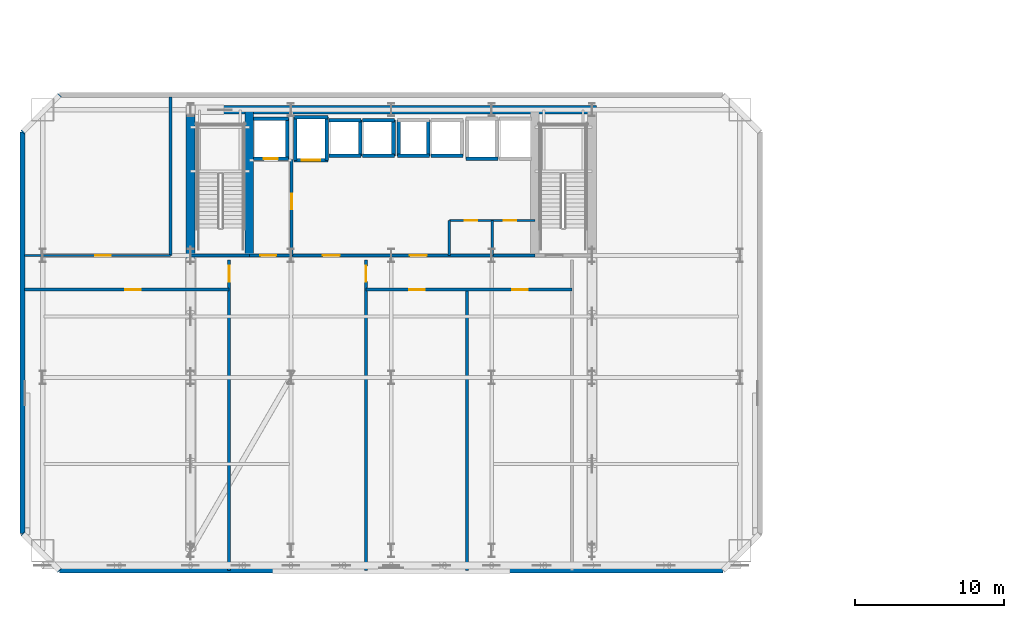
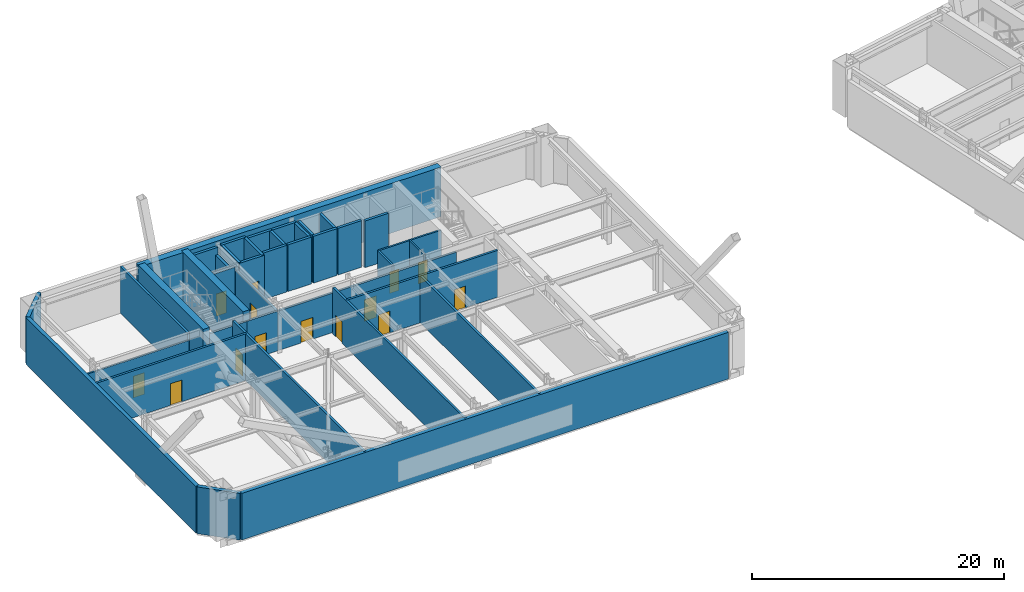
# One storey, part 8 of 17: 39 walls, 14 doors, 14 openings.
"""IFC4 building model written with IfcOpenShell, lengths in metres."""

from ifc_helpers import new_model, si_unit, direction, frame, frame_2d, origin, place, context, subcontext, project, spatial, rectangle, extrude, material, layer, layer_set, type_object, element, fill, save


model = new_model("IFC4")

# Units and contexts
model_context = context("Model", 3, precision=1e-05, world=origin(), true_north=direction((0.0, 1.0)))
body_context = subcontext(model_context, "Body", "Model", "MODEL_VIEW")
ifc_project = project(units=[si_unit("LENGTHUNIT", "METRE"), si_unit("AREAUNIT", "SQUARE_METRE"), si_unit("VOLUMEUNIT", "CUBIC_METRE"), si_unit("PLANEANGLEUNIT", "RADIAN"), si_unit("MASSUNIT", "GRAM", prefix="KILO")], contexts=[model_context])

# Site, building, storey
site_placement = place(None, origin())
site = spatial("IfcSite", under=ifc_project, at=site_placement, CompositionType="ELEMENT")
building_placement = place(site_placement, origin())
building = spatial("IfcBuilding", under=site, at=building_placement, Name="Haevon Station Towers", CompositionType="ELEMENT")
storey_placement = place(building_placement, frame((0.0, 0.0, 81.89990234375)))
storey = spatial("IfcBuildingStorey", under=building, at=storey_placement, Name="L21", CompositionType="ELEMENT", Elevation=81.89990234375)

# Wall
ifc_material_1 = material(Name="Gypsum board on steel stud", Category="steel")
ifc_layer_1 = layer(ifc_material_1, 0.199951171875)
ifc_layer_set_1 = layer_set([ifc_layer_1], Name="Gypsum board on steel stud")
wall_type_1 = type_object("IfcWallType", Name="WL-COR200", PredefinedType="PARTITIONING", material=ifc_layer_set_1)
wall_1_placement = place(storey_placement, frame((24.0, 38.199951171875, 0.0), z_axis=(0.0, 0.0, 1.0), x_axis=(1.0, 0.0, 0.0)))
element("IfcWall", 1, at=wall_1_placement, inside=storey, type_object=wall_type_1, Name="WL-ST-ST1-L21", PredefinedType="PARTITIONING", context=body_context, shape_type="SweptSolid", body=[
    extrude(rectangle(XDim=3.949951171875, YDim=0.199951171875, at=frame_2d((1.97509765625, 0.0))), origin(), (0.0, 0.0, 1.0), 3.830078125),
])

# Wall, opening, door
wall_2_placement = place(storey_placement, frame((30.800048828125, 38.199951171875, 0.0), z_axis=(0.0, 0.0, 1.0), x_axis=(0.0, 1.0, 0.0)))
wall_2 = element("IfcWall", 2, at=wall_2_placement, inside=storey, type_object=wall_type_1, Name="WL-T1FFL-L21-E", PredefinedType="PARTITIONING", context=body_context, shape_type="SweptSolid", body=[
    extrude(rectangle(XDim=6.449951171875, YDim=0.199951171875, at=frame_2d((3.22509765625, 0.0))), origin(), (0.0, 0.0, 1.0), 3.830078125),
])
opening_1_placement = place(wall_2_placement, frame((3.10009765625, 0.0, 0.0)))
opening_1 = element("IfcOpeningElement", 3, at=opening_1_placement, cuts=wall_2, Name="Opening DR-T1FFL-L21-E", PredefinedType="OPENING", context=body_context, shape_type="SweptSolid", body=[
    extrude(rectangle(XDim=1.050048828125, YDim=2.10009765625, at=frame_2d((0.52490234375, 1.050048828125))), frame((0.0, 0.10986328125, 0.0), z_axis=(0.0, -1.0, 0.0), x_axis=(1.0, 0.0, 0.0)), (0.0, 0.0, 1.0), 0.219970703125),
])
ifc_material_2 = material(Name="Engineered oak timber", Category="wood")
door_type_1 = type_object("IfcDoorType", Name="DR-FD60-1050", OperationType="NOTDEFINED", PredefinedType="DOOR", material=ifc_material_2)
door_1_placement = place(opening_1_placement, origin())
door_1 = element("IfcDoor", 4, at=door_1_placement, inside=storey, type_object=door_type_1, Name="L21 Tower 1 Firefighting Lift Lobby Door E", OperationType="SINGLE_SWING_LEFT", OverallHeight=2.10009765625, OverallWidth=1.050048828125, PredefinedType="DOOR", context=body_context, shape_type="SweptSolid", body=[
    extrude(rectangle(XDim=1.050048828125, YDim=2.10009765625, at=frame_2d((0.52490234375, 1.050048828125))), frame((0.0, 0.02490234375, 0.0), z_axis=(0.0, -1.0, 0.0), x_axis=(1.0, 0.0, 0.0)), (0.0, 0.0, 1.0), 0.050048828125),
])
fill(opening_1, door_1)

wall_3_placement = place(storey_placement, frame((27.949951171875, 38.199951171875, 0.0), z_axis=(0.0, 0.0, 1.0), x_axis=(1.0, 0.0, 0.0)))
wall_3 = element("IfcWall", 5, at=wall_3_placement, inside=storey, type_object=wall_type_1, Name="WL-T1FFL-L21-S", PredefinedType="PARTITIONING", context=body_context, shape_type="SweptSolid", body=[
    extrude(rectangle(XDim=2.85009765625, YDim=0.199951171875, at=frame_2d((1.425048828125, 0.0))), origin(), (0.0, 0.0, 1.0), 3.830078125),
])
opening_2_placement = place(wall_3_placement, frame((0.75, 0.0, 0.0)))
opening_2 = element("IfcOpeningElement", 6, at=opening_2_placement, cuts=wall_3, Name="Opening DR-T1FFL-L21-S", PredefinedType="OPENING", context=body_context, shape_type="SweptSolid", body=[
    extrude(rectangle(XDim=1.050048828125, YDim=2.10009765625, at=frame_2d((0.52490234375, 1.050048828125))), frame((0.0, 0.10986328125, 0.0), z_axis=(0.0, -1.0, 0.0), x_axis=(1.0, 0.0, 0.0)), (0.0, 0.0, 1.0), 0.219970703125),
])
door_2_placement = place(opening_2_placement, origin())
door_2 = element("IfcDoor", 7, at=door_2_placement, inside=storey, type_object=door_type_1, Name="L21 Tower 1 Firefighting Lift Lobby Door S", OperationType="SINGLE_SWING_RIGHT", OverallHeight=2.10009765625, OverallWidth=1.050048828125, PredefinedType="DOOR", context=body_context, shape_type="SweptSolid", body=[
    extrude(rectangle(XDim=1.050048828125, YDim=2.10009765625, at=frame_2d((0.52490234375, 1.050048828125))), frame((0.0, 0.02490234375, 0.0), z_axis=(0.0, -1.0, 0.0), x_axis=(1.0, 0.0, 0.0)), (0.0, 0.0, 1.0), 0.050048828125),
])
fill(opening_2, door_2)

# Wall, openings, doors
wall_4_placement = place(storey_placement, frame((30.800048828125, 38.199951171875, 0.0), z_axis=(0.0, 0.0, 1.0), x_axis=(1.0, 0.0, 0.0)))
wall_4 = element("IfcWall", 8, at=wall_4_placement, inside=storey, type_object=wall_type_1, Name="WL-T1CLB-L21", PredefinedType="PARTITIONING", context=body_context, shape_type="SweptSolid", body=[
    extrude(rectangle(XDim=16.349853515625, YDim=0.199951171875, at=frame_2d((8.1748046875, 0.0))), origin(), (0.0, 0.0, 1.0), 3.830078125),
])
opening_3_placement = place(wall_4_placement, frame((2.10009765625, 0.0, 0.0)))
opening_3 = element("IfcOpeningElement", 9, at=opening_3_placement, cuts=wall_4, Name="Opening DR-T1CLB-L21-1", PredefinedType="OPENING", context=body_context, shape_type="SweptSolid", body=[
    extrude(rectangle(XDim=1.1201171875, YDim=2.10009765625, at=frame_2d((0.56005859375, 1.050048828125))), frame((0.0, 0.10986328125, 0.0), z_axis=(0.0, -1.0, 0.0), x_axis=(1.0, 0.0, 0.0)), (0.0, 0.0, 1.0), 0.219970703125),
])
opening_4_placement = place(wall_4_placement, frame((7.949951171875, 0.0, 0.0)))
opening_4 = element("IfcOpeningElement", 10, at=opening_4_placement, cuts=wall_4, Name="Opening DR-T1CLB-L21-2", PredefinedType="OPENING", context=body_context, shape_type="SweptSolid", body=[
    extrude(rectangle(XDim=1.1201171875, YDim=2.10009765625, at=frame_2d((0.56005859375, 1.050048828125))), frame((0.0, 0.10986328125, 0.0), z_axis=(0.0, -1.0, 0.0), x_axis=(1.0, 0.0, 0.0)), (0.0, 0.0, 1.0), 0.219970703125),
])
door_type_2 = type_object("IfcDoorType", Name="DR-ST-1120", OperationType="NOTDEFINED", PredefinedType="DOOR", material=ifc_material_2)
door_3_placement = place(opening_3_placement, origin())
door_3 = element("IfcDoor", 11, at=door_3_placement, inside=storey, type_object=door_type_2, Name="L21 Tower 1 Core Lift Lobby Door 1", OperationType="SINGLE_SWING_LEFT", OverallHeight=2.10009765625, OverallWidth=1.1201171875, PredefinedType="DOOR", context=body_context, shape_type="SweptSolid", body=[
    extrude(rectangle(XDim=1.1201171875, YDim=2.10009765625, at=frame_2d((0.56005859375, 1.050048828125))), frame((0.0, 0.02490234375, 0.0), z_axis=(0.0, -1.0, 0.0), x_axis=(1.0, 0.0, 0.0)), (0.0, 0.0, 1.0), 0.050048828125),
])
fill(opening_3, door_3)
door_4_placement = place(opening_4_placement, origin())
door_4 = element("IfcDoor", 12, at=door_4_placement, inside=storey, type_object=door_type_2, Name="L21 Tower 1 Core Lift Lobby Door 2", OperationType="SINGLE_SWING_RIGHT", OverallHeight=2.10009765625, OverallWidth=1.1201171875, PredefinedType="DOOR", context=body_context, shape_type="SweptSolid", body=[
    extrude(rectangle(XDim=1.1201171875, YDim=2.10009765625, at=frame_2d((0.56005859375, 1.050048828125))), frame((0.0, 0.02490234375, 0.0), z_axis=(0.0, -1.0, 0.0), x_axis=(1.0, 0.0, 0.0)), (0.0, 0.0, 1.0), 0.050048828125),
])
fill(opening_4, door_4)

# Wall
wall_5_placement = place(storey_placement, frame((22.64990234375, 38.199951171875, 0.0), z_axis=(0.0, 0.0, 1.0), x_axis=(0.0, 1.0, 0.0)))
element("IfcWall", 13, at=wall_5_placement, inside=storey, type_object=wall_type_1, Name="WL-T1PT-L21-02", PredefinedType="PARTITIONING", context=body_context, shape_type="SweptSolid", body=[
    extrude(rectangle(XDim=10.66015625, YDim=0.199951171875, at=frame_2d((5.330078125, 0.0))), origin(), (0.0, 0.0, 1.0), 4.530029296875),
])

# Wall, opening, door
wall_6_placement = place(storey_placement, frame((12.840087890625, 35.89990234375, 0.0), z_axis=(0.0, 0.0, 1.0), x_axis=(1.0, 0.0, 0.0)))
wall_6 = element("IfcWall", 14, at=wall_6_placement, inside=storey, type_object=wall_type_1, Name="WL-T1PT-L21-03", PredefinedType="PARTITIONING", context=body_context, shape_type="SweptSolid", body=[
    extrude(rectangle(XDim=13.760009765625, YDim=0.199951171875, at=frame_2d((6.8798828125, 0.0))), origin(), (0.0, 0.0, 1.0), 4.530029296875),
])
opening_5_placement = place(wall_6_placement, frame((6.760009765625, 0.0, 0.0)))
opening_5 = element("IfcOpeningElement", 15, at=opening_5_placement, cuts=wall_6, Name="Opening DR-WL-T1PT-L21-03-01", PredefinedType="OPENING", context=body_context, shape_type="SweptSolid", body=[
    extrude(rectangle(XDim=1.050048828125, YDim=2.10009765625, at=frame_2d((0.52490234375, 1.050048828125))), frame((0.0, 0.10986328125, 0.0), z_axis=(0.0, -1.0, 0.0), x_axis=(1.0, 0.0, 0.0)), (0.0, 0.0, 1.0), 0.219970703125),
])
door_5_placement = place(opening_5_placement, origin())
door_5 = element("IfcDoor", 16, at=door_5_placement, inside=storey, type_object=door_type_1, Name="L21 Tower 1 Room Door 3-1", OperationType="SINGLE_SWING_LEFT", OverallHeight=2.10009765625, OverallWidth=1.050048828125, PredefinedType="DOOR", context=body_context, shape_type="SweptSolid", body=[
    extrude(rectangle(XDim=1.050048828125, YDim=2.10009765625, at=frame_2d((0.52490234375, 1.050048828125))), frame((0.0, 0.02490234375, 0.0), z_axis=(0.0, -1.0, 0.0), x_axis=(1.0, 0.0, 0.0)), (0.0, 0.0, 1.0), 0.050048828125),
])
fill(opening_5, door_5)

wall_7_placement = place(storey_placement, frame((26.60009765625, 17.0, 0.0), z_axis=(0.0, 0.0, 1.0), x_axis=(0.0, 1.0, 0.0)))
wall_7 = element("IfcWall", 17, at=wall_7_placement, inside=storey, type_object=wall_type_1, Name="WL-T1PT-L21-04", PredefinedType="PARTITIONING", context=body_context, shape_type="SweptSolid", body=[
    extrude(rectangle(XDim=20.89990234375, YDim=0.199951171875, at=frame_2d((10.449951171875, 0.0))), origin(), (0.0, 0.0, 1.0), 4.530029296875),
])
opening_6_placement = place(wall_7_placement, frame((19.449951171875, 0.0, 0.0)))
opening_6 = element("IfcOpeningElement", 18, at=opening_6_placement, cuts=wall_7, Name="Opening DR-WL-T1PT-L21-04-01", PredefinedType="OPENING", context=body_context, shape_type="SweptSolid", body=[
    extrude(rectangle(XDim=1.050048828125, YDim=2.10009765625, at=frame_2d((0.52490234375, 1.050048828125))), frame((0.0, 0.10986328125, 0.0), z_axis=(0.0, -1.0, 0.0), x_axis=(1.0, 0.0, 0.0)), (0.0, 0.0, 1.0), 0.219970703125),
])
door_6_placement = place(opening_6_placement, origin())
door_6 = element("IfcDoor", 19, at=door_6_placement, inside=storey, type_object=door_type_1, Name="L21 Tower 1 Room Door 4-1", OperationType="SINGLE_SWING_RIGHT", OverallHeight=2.10009765625, OverallWidth=1.050048828125, PredefinedType="DOOR", context=body_context, shape_type="SweptSolid", body=[
    extrude(rectangle(XDim=1.050048828125, YDim=2.10009765625, at=frame_2d((0.52490234375, 1.050048828125))), frame((0.0, 0.02490234375, 0.0), z_axis=(0.0, -1.0, 0.0), x_axis=(1.0, 0.0, 0.0)), (0.0, 0.0, 1.0), 0.050048828125),
])
fill(opening_6, door_6)

wall_8_placement = place(storey_placement, frame((35.800048828125, 17.0, 0.0), z_axis=(0.0, 0.0, 1.0), x_axis=(0.0, 1.0, 0.0)))
wall_8 = element("IfcWall", 20, at=wall_8_placement, inside=storey, type_object=wall_type_1, Name="WL-T1PT-L21-05", PredefinedType="PARTITIONING", context=body_context, shape_type="SweptSolid", body=[
    extrude(rectangle(XDim=20.89990234375, YDim=0.199951171875, at=frame_2d((10.449951171875, 0.0))), origin(), (0.0, 0.0, 1.0), 4.530029296875),
])
opening_7_placement = place(wall_8_placement, frame((19.449951171875, 0.0, 0.0)))
opening_7 = element("IfcOpeningElement", 21, at=opening_7_placement, cuts=wall_8, Name="Opening DR-WL-T1PT-L21-05-01", PredefinedType="OPENING", context=body_context, shape_type="SweptSolid", body=[
    extrude(rectangle(XDim=1.050048828125, YDim=2.10009765625, at=frame_2d((0.52490234375, 1.050048828125))), frame((0.0, 0.10986328125, 0.0), z_axis=(0.0, -1.0, 0.0), x_axis=(1.0, 0.0, 0.0)), (0.0, 0.0, 1.0), 0.219970703125),
])
door_7_placement = place(opening_7_placement, origin())
door_7 = element("IfcDoor", 22, at=door_7_placement, inside=storey, type_object=door_type_1, Name="L21 Tower 1 Room Door 5-1", OperationType="SINGLE_SWING_LEFT", OverallHeight=2.10009765625, OverallWidth=1.050048828125, PredefinedType="DOOR", context=body_context, shape_type="SweptSolid", body=[
    extrude(rectangle(XDim=1.050048828125, YDim=2.10009765625, at=frame_2d((0.52490234375, 1.050048828125))), frame((0.0, 0.02490234375, 0.0), z_axis=(0.0, -1.0, 0.0), x_axis=(1.0, 0.0, 0.0)), (0.0, 0.0, 1.0), 0.050048828125),
])
fill(opening_7, door_7)

# Wall
wall_9_placement = place(storey_placement, frame((42.60009765625, 17.0, 0.0), z_axis=(0.0, 0.0, 1.0), x_axis=(0.0, 1.0, 0.0)))
element("IfcWall", 23, at=wall_9_placement, inside=storey, type_object=wall_type_1, Name="WL-T1PT-L21-06", PredefinedType="PARTITIONING", context=body_context, shape_type="SweptSolid", body=[
    extrude(rectangle(XDim=18.89990234375, YDim=0.199951171875, at=frame_2d((9.449951171875, 0.0))), origin(), (0.0, 0.0, 1.0), 4.530029296875),
])

# Wall, openings, doors
wall_10_placement = place(storey_placement, frame((35.800048828125, 35.89990234375, 0.0), z_axis=(0.0, 0.0, 1.0), x_axis=(1.0, 0.0, 0.0)))
wall_10 = element("IfcWall", 24, at=wall_10_placement, inside=storey, type_object=wall_type_1, Name="WL-T1PT-L21-07", PredefinedType="PARTITIONING", context=body_context, shape_type="SweptSolid", body=[
    extrude(rectangle(XDim=13.849853515625, YDim=0.199951171875, at=frame_2d((6.9248046875, 0.0))), origin(), (0.0, 0.0, 1.0), 4.530029296875),
])
opening_8_placement = place(wall_10_placement, frame((2.89990234375, 0.0, 0.0)))
opening_8 = element("IfcOpeningElement", 25, at=opening_8_placement, cuts=wall_10, Name="Opening DR-WL-T1PT-L21-07-01", PredefinedType="OPENING", context=body_context, shape_type="SweptSolid", body=[
    extrude(rectangle(XDim=1.050048828125, YDim=2.10009765625, at=frame_2d((0.52490234375, 1.050048828125))), frame((0.0, 0.10986328125, 0.0), z_axis=(0.0, -1.0, 0.0), x_axis=(1.0, 0.0, 0.0)), (0.0, 0.0, 1.0), 0.219970703125),
])
opening_9_placement = place(wall_10_placement, frame((9.824951171875, 0.0, 0.0)))
opening_9 = element("IfcOpeningElement", 26, at=opening_9_placement, cuts=wall_10, Name="Opening DR-WL-T1PT-L21-07-02", PredefinedType="OPENING", context=body_context, shape_type="SweptSolid", body=[
    extrude(rectangle(XDim=1.050048828125, YDim=2.10009765625, at=frame_2d((0.52490234375, 1.050048828125))), frame((0.0, 0.10986328125, 0.0), z_axis=(0.0, -1.0, 0.0), x_axis=(1.0, 0.0, 0.0)), (0.0, 0.0, 1.0), 0.219970703125),
])
door_8_placement = place(opening_8_placement, origin())
door_8 = element("IfcDoor", 27, at=door_8_placement, inside=storey, type_object=door_type_1, Name="L21 Tower 1 Room Door 7-1", OperationType="SINGLE_SWING_RIGHT", OverallHeight=2.10009765625, OverallWidth=1.050048828125, PredefinedType="DOOR", context=body_context, shape_type="SweptSolid", body=[
    extrude(rectangle(XDim=1.050048828125, YDim=2.10009765625, at=frame_2d((0.52490234375, 1.050048828125))), frame((0.0, 0.02490234375, 0.0), z_axis=(0.0, -1.0, 0.0), x_axis=(1.0, 0.0, 0.0)), (0.0, 0.0, 1.0), 0.050048828125),
])
fill(opening_8, door_8)
door_9_placement = place(opening_9_placement, origin())
door_9 = element("IfcDoor", 28, at=door_9_placement, inside=storey, type_object=door_type_1, Name="L21 Tower 1 Room Door 7-2", OperationType="SINGLE_SWING_LEFT", OverallHeight=2.10009765625, OverallWidth=1.050048828125, PredefinedType="DOOR", context=body_context, shape_type="SweptSolid", body=[
    extrude(rectangle(XDim=1.050048828125, YDim=2.10009765625, at=frame_2d((0.52490234375, 1.050048828125))), frame((0.0, 0.02490234375, 0.0), z_axis=(0.0, -1.0, 0.0), x_axis=(1.0, 0.0, 0.0)), (0.0, 0.0, 1.0), 0.050048828125),
])
fill(opening_9, door_9)

# Walls
ifc_material_3 = material(Name="Concrete C60/75", Category="concrete")
ifc_layer_2 = layer(ifc_material_3, 0.60009765625)
ifc_layer_set_2 = layer_set([ifc_layer_2], Name="Concrete C60/75")
wall_type_2 = type_object("IfcWallType", Name="WL-CR600", PredefinedType="SHEAR", material=ifc_layer_set_2)
wall_11_placement = place(storey_placement, frame((23.699951171875, 48.0, 0.0), z_axis=(0.0, 0.0, 1.0), x_axis=(1.0, 0.0, 0.0)))
element("IfcWall", 29, at=wall_11_placement, inside=storey, type_object=wall_type_2, Name="WL-T1CR-L21-N", PredefinedType="SHEAR", context=body_context, shape_type="SweptSolid", body=[
    extrude(rectangle(XDim=27.60009765625, YDim=0.60009765625, at=frame_2d((13.800048828125, 0.0))), origin(), (0.0, 0.0, 1.0), 4.800048828125),
])
wall_12_placement = place(storey_placement, frame((24.0, 37.679931640625, 0.0), z_axis=(0.0, 0.0, 1.0), x_axis=(0.0, 1.0, 0.0)))
element("IfcWall", 30, at=wall_12_placement, inside=storey, type_object=wall_type_2, Name="WL-T1CR-L21-W", PredefinedType="SHEAR", context=body_context, shape_type="SweptSolid", body=[
    extrude(rectangle(XDim=10.320068359375, YDim=0.60009765625, at=frame_2d((5.16015625, 0.0))), origin(), (0.0, 0.0, 1.0), 4.800048828125),
])
wall_13_placement = place(storey_placement, frame((27.949951171875, 38.199951171875, 0.0), z_axis=(0.0, 0.0, 1.0), x_axis=(0.0, 1.0, 0.0)))
element("IfcWall", 31, at=wall_13_placement, inside=storey, type_object=wall_type_2, Name="WL-T1CR-L21-M1", PredefinedType="SHEAR", context=body_context, shape_type="SweptSolid", body=[
    extrude(rectangle(XDim=9.800048828125, YDim=0.60009765625, at=frame_2d((4.89990234375, 0.0))), origin(), (0.0, 0.0, 1.0), 4.800048828125),
])
ifc_material_4 = material(Name="Precast concrete C45/55", Category="concrete")
ifc_layer_3 = layer(ifc_material_4, 0.340087890625)
ifc_layer_set_3 = layer_set([ifc_layer_3], Name="Precast concrete C45/55")
wall_type_3 = type_object("IfcWallType", Name="WL-EXT-PIER340", PredefinedType="SOLIDWALL", material=ifc_layer_set_3)
wall_14_placement = place(storey_placement, frame((59.800048828125, 17.0, 0.0), z_axis=(0.0, 0.0, 1.0), x_axis=(-1.0, 0.0, 0.0)))
element("IfcWall", 32, at=wall_14_placement, inside=storey, type_object=wall_type_3, Name="WL-T1-L21-S", PredefinedType="SOLIDWALL", context=body_context, shape_type="SweptSolid", body=[
    extrude(rectangle(XDim=44.60009765625, YDim=0.340087890625, at=frame_2d((22.300048828125, 0.0))), origin(), (0.0, 0.0, 1.0), 4.530029296875),
])
wall_15_placement = place(storey_placement, frame((15.199951171875, 17.0, 0.0), z_axis=(0.0, 0.0, 1.0), x_axis=(-0.707106781187, 0.707106781187, 0.0)))
element("IfcWall", 33, at=wall_15_placement, inside=storey, type_object=wall_type_3, Name="WL-T1-L21-SWC", PredefinedType="SOLIDWALL", context=body_context, shape_type="SweptSolid", body=[
    extrude(rectangle(XDim=3.53564453125, YDim=0.340087890625, at=frame_2d((1.767822265625, 0.0))), origin(), (0.0, 0.0, 1.0), 4.530029296875),
])
wall_16_placement = place(storey_placement, frame((12.699951171875, 19.5, 0.0), z_axis=(0.0, 0.0, 1.0), x_axis=(0.0, 1.0, 0.0)))
element("IfcWall", 34, at=wall_16_placement, inside=storey, type_object=wall_type_3, Name="WL-T1-L21-W", PredefinedType="SOLIDWALL", context=body_context, shape_type="SweptSolid", body=[
    extrude(rectangle(XDim=27.0, YDim=0.340087890625, at=frame_2d((13.5, 0.0))), origin(), (0.0, 0.0, 1.0), 4.530029296875),
])
wall_17_placement = place(storey_placement, frame((12.699951171875, 46.5, 0.0), z_axis=(0.0, 0.0, 1.0), x_axis=(0.707106781187, 0.707106781187, 0.0)))
element("IfcWall", 35, at=wall_17_placement, inside=storey, type_object=wall_type_3, Name="WL-T1-L21-NWC", PredefinedType="SOLIDWALL", context=body_context, shape_type="SweptSolid", body=[
    extrude(rectangle(XDim=3.53564453125, YDim=0.340087890625, at=frame_2d((1.767822265625, 0.0))), origin(), (0.0, 0.0, 1.0), 4.530029296875),
])
ifc_layer_4 = layer(ifc_material_1, 0.159912109375)
ifc_layer_set_4 = layer_set([ifc_layer_4], Name="Gypsum board on steel stud")
wall_type_4 = type_object("IfcWallType", Name="WL-PRT160", PredefinedType="PARTITIONING", material=ifc_layer_set_4)
for number, where, z_axis, x_axis, name in (
    (36, (41.39990234375, 38.199951171875, 0.0), (0.0, 0.0, 1.0), (0.0, 1.0, 0.0), "WL-T1CW-L21-01"),
    (37, (44.280029296875, 38.199951171875, 0.0), (0.0, 0.0, 1.0), (0.0, 1.0, 0.0), "WL-T1CW-L21-02"),
):
    element("IfcWall", number, at=place(storey_placement, frame(where, z_axis=z_axis, x_axis=x_axis)), inside=storey, type_object=wall_type_4, Name=name, PredefinedType="PARTITIONING", context=body_context, shape_type="SweptSolid", body=[
        extrude(rectangle(XDim=2.35009765625, YDim=0.159912109375, at=frame_2d((1.175048828125, 0.0))), origin(), (0.0, 0.0, 1.0), 4.530029296875),
    ])

# Wall, openings, doors
wall_18_placement = place(storey_placement, frame((41.39990234375, 40.550048828125, 0.0), z_axis=(0.0, 0.0, 1.0), x_axis=(1.0, 0.0, 0.0)))
wall_18 = element("IfcWall", 38, at=wall_18_placement, inside=storey, type_object=wall_type_4, Name="WL-T1CW-L21-03", PredefinedType="PARTITIONING", context=body_context, shape_type="SweptSolid", body=[
    extrude(rectangle(XDim=5.75, YDim=0.159912109375, at=frame_2d((2.875, 0.0))), origin(), (0.0, 0.0, 1.0), 4.530029296875),
])
opening_10_placement = place(wall_18_placement, frame((1.034912109375, 0.0, 0.0)))
opening_10 = element("IfcOpeningElement", 39, at=opening_10_placement, cuts=wall_18, Name="Opening DR-WL-T1CW-L21-03-1", PredefinedType="OPENING", context=body_context, shape_type="SweptSolid", body=[
    extrude(rectangle(XDim=0.85009765625, YDim=2.050048828125, at=frame_2d((0.425048828125, 1.02490234375))), frame((0.0, 0.08984375, 0.0), z_axis=(0.0, -1.0, 0.0), x_axis=(1.0, 0.0, 0.0)), (0.0, 0.0, 1.0), 0.179931640625),
])
opening_11_placement = place(wall_18_placement, frame((3.655029296875, 0.0, 0.0)))
opening_11 = element("IfcOpeningElement", 40, at=opening_11_placement, cuts=wall_18, Name="Opening DR-WL-T1CW-L21-03-2", PredefinedType="OPENING", context=body_context, shape_type="SweptSolid", body=[
    extrude(rectangle(XDim=0.85009765625, YDim=2.050048828125, at=frame_2d((0.425048828125, 1.02490234375))), frame((0.0, 0.08984375, 0.0), z_axis=(0.0, -1.0, 0.0), x_axis=(1.0, 0.0, 0.0)), (0.0, 0.0, 1.0), 0.179931640625),
])
door_type_3 = type_object("IfcDoorType", Name="DR-FD30-850", OperationType="NOTDEFINED", PredefinedType="DOOR", material=ifc_material_2)
door_10_placement = place(opening_10_placement, origin())
door_10 = element("IfcDoor", 41, at=door_10_placement, inside=storey, type_object=door_type_3, Name="L21 Tower 1 Core Room Door 3-1", OperationType="SINGLE_SWING_RIGHT", OverallHeight=2.050048828125, OverallWidth=0.85009765625, PredefinedType="DOOR", context=body_context, shape_type="SweptSolid", body=[
    extrude(rectangle(XDim=0.85009765625, YDim=2.050048828125, at=frame_2d((0.425048828125, 1.02490234375))), frame((0.0, 0.02490234375, 0.0), z_axis=(0.0, -1.0, 0.0), x_axis=(1.0, 0.0, 0.0)), (0.0, 0.0, 1.0), 0.050048828125),
])
fill(opening_10, door_10)
door_11_placement = place(opening_11_placement, origin())
door_11 = element("IfcDoor", 42, at=door_11_placement, inside=storey, type_object=door_type_3, Name="L21 Tower 1 Core Room Door 3-2", OperationType="SINGLE_SWING_LEFT", OverallHeight=2.050048828125, OverallWidth=0.85009765625, PredefinedType="DOOR", context=body_context, shape_type="SweptSolid", body=[
    extrude(rectangle(XDim=0.85009765625, YDim=2.050048828125, at=frame_2d((0.425048828125, 1.02490234375))), frame((0.0, 0.02490234375, 0.0), z_axis=(0.0, -1.0, 0.0), x_axis=(1.0, 0.0, 0.0)), (0.0, 0.0, 1.0), 0.050048828125),
])
fill(opening_11, door_11)

# Wall, opening, door
wall_19_placement = place(storey_placement, frame((12.840087890625, 38.199951171875, 0.0), z_axis=(0.0, 0.0, 1.0), x_axis=(1.0, 0.0, 0.0)))
wall_19 = element("IfcWall", 43, at=wall_19_placement, inside=storey, type_object=wall_type_4, Name="WL-T1PT-L21-01", PredefinedType="PARTITIONING", context=body_context, shape_type="SweptSolid", body=[
    extrude(rectangle(XDim=9.809814453125, YDim=0.159912109375, at=frame_2d((4.90478515625, 0.0))), origin(), (0.0, 0.0, 1.0), 3.830078125),
])
opening_12_placement = place(wall_19_placement, frame((4.735107421875, 0.0, 0.0)))
opening_12 = element("IfcOpeningElement", 44, at=opening_12_placement, cuts=wall_19, Name="Opening DR-WL-T1PT-L21-01-01", PredefinedType="OPENING", context=body_context, shape_type="SweptSolid", body=[
    extrude(rectangle(XDim=1.050048828125, YDim=2.10009765625, at=frame_2d((0.52490234375, 1.050048828125))), frame((0.0, 0.08984375, 0.0), z_axis=(0.0, -1.0, 0.0), x_axis=(1.0, 0.0, 0.0)), (0.0, 0.0, 1.0), 0.179931640625),
])
door_12_placement = place(opening_12_placement, origin())
door_12 = element("IfcDoor", 45, at=door_12_placement, inside=storey, type_object=door_type_1, Name="L21 Tower 1 Room Door 1-1", OperationType="SINGLE_SWING_RIGHT", OverallHeight=2.10009765625, OverallWidth=1.050048828125, PredefinedType="DOOR", context=body_context, shape_type="SweptSolid", body=[
    extrude(rectangle(XDim=1.050048828125, YDim=2.10009765625, at=frame_2d((0.52490234375, 1.050048828125))), frame((0.0, 0.02490234375, 0.0), z_axis=(0.0, -1.0, 0.0), x_axis=(1.0, 0.0, 0.0)), (0.0, 0.0, 1.0), 0.050048828125),
])
fill(opening_12, door_12)

ifc_material_5 = material(Name="Concrete C40/50", Category="concrete")
ifc_layer_5 = layer(ifc_material_5, 0.239990234375)
ifc_layer_set_5 = layer_set([ifc_layer_5], Name="Concrete C40/50")
wall_type_5 = type_object("IfcWallType", Name="WL-SHF240", PredefinedType="PARTITIONING", material=ifc_layer_set_5)
wall_20_placement = place(storey_placement, frame((28.219970703125, 44.699951171875, 0.0), z_axis=(0.0, 0.0, 1.0), x_axis=(1.0, 0.0, 0.0)))
wall_20 = element("IfcWall", 46, at=wall_20_placement, inside=storey, type_object=wall_type_5, Name="WL-SHF-FL1-L21", PredefinedType="PARTITIONING", context=body_context, shape_type="SweptSolid", body=[
    extrude(rectangle(XDim=2.360107421875, YDim=0.239990234375, at=frame_2d((1.18017578125, 0.0))), origin(), (0.0, 0.0, 1.0), 4.22998046875),
])
opening_13_placement = place(wall_20_placement, frame((0.705078125, 0.0, 0.0)))
opening_13 = element("IfcOpeningElement", 47, at=opening_13_placement, cuts=wall_20, Name="Opening LD-FL1-L21", PredefinedType="OPENING", context=body_context, shape_type="SweptSolid", body=[
    extrude(rectangle(XDim=0.949951171875, YDim=2.14990234375, at=frame_2d((0.47509765625, 1.074951171875))), frame((0.0, 0.1298828125, 0.0), z_axis=(0.0, -1.0, 0.0), x_axis=(1.0, 0.0, 0.0)), (0.0, 0.0, 1.0), 0.260009765625),
])
ifc_material_6 = material(Name="Stainless steel and rated core", Category="steel")
door_type_4 = type_object("IfcDoorType", Name="LD-FL950", OperationType="SLIDING_TO_LEFT", PredefinedType="DOOR", material=ifc_material_6)
door_13_placement = place(opening_13_placement, origin())
door_13 = element("IfcDoor", 48, at=door_13_placement, inside=storey, type_object=door_type_4, Name="L21 Lift FL1 Sliding Landing Door", OperationType="SLIDING_TO_LEFT", OverallHeight=2.14990234375, OverallWidth=0.949951171875, PredefinedType="DOOR", context=body_context, shape_type="SweptSolid", body=[
    extrude(rectangle(XDim=0.949951171875, YDim=2.14990234375, at=frame_2d((0.47509765625, 1.074951171875))), frame((0.0, 0.02490234375, 0.0), z_axis=(0.0, -1.0, 0.0), x_axis=(1.0, 0.0, 0.0)), (0.0, 0.0, 1.0), 0.050048828125),
])
fill(opening_13, door_13)

# Walls
wall_21_placement = place(storey_placement, frame((28.219970703125, 47.39990234375, 0.0), z_axis=(0.0, 0.0, 1.0), x_axis=(1.0, 0.0, 0.0)))
element("IfcWall", 49, at=wall_21_placement, inside=storey, type_object=wall_type_5, Name="WL-SHF-FL1-L21-N", PredefinedType="PARTITIONING", context=body_context, shape_type="SweptSolid", body=[
    extrude(rectangle(XDim=2.360107421875, YDim=0.239990234375, at=frame_2d((1.18017578125, 0.0))), origin(), (0.0, 0.0, 1.0), 4.530029296875),
])
wall_22_placement = place(storey_placement, frame((30.5, 44.699951171875, 0.0), z_axis=(0.0, 0.0, 1.0), x_axis=(0.0, 1.0, 0.0)))
element("IfcWall", 50, at=wall_22_placement, inside=storey, type_object=wall_type_5, Name="WL-SHF-FL1-L21-E", PredefinedType="PARTITIONING", context=body_context, shape_type="SweptSolid", body=[
    extrude(rectangle(XDim=2.699951171875, YDim=0.239990234375, at=frame_2d((1.35009765625, 0.0))), origin(), (0.0, 0.0, 1.0), 3.830078125),
])

# Wall, opening, door
wall_23_placement = place(storey_placement, frame((30.969970703125, 44.60009765625, 0.0), z_axis=(0.0, 0.0, 1.0), x_axis=(1.0, 0.0, 0.0)))
wall_23 = element("IfcWall", 51, at=wall_23_placement, inside=storey, type_object=wall_type_5, Name="WL-SHF-SL1-L21", PredefinedType="PARTITIONING", context=body_context, shape_type="SweptSolid", body=[
    extrude(rectangle(XDim=2.260009765625, YDim=0.239990234375, at=frame_2d((1.1298828125, 0.0))), origin(), (0.0, 0.0, 1.0), 4.530029296875),
])
opening_14_placement = place(wall_23_placement, frame((0.5048828125, 0.0, 0.0)))
opening_14 = element("IfcOpeningElement", 52, at=opening_14_placement, cuts=wall_23, Name="Opening LD-SL1-L21", PredefinedType="OPENING", context=body_context, shape_type="SweptSolid", body=[
    extrude(rectangle(XDim=1.25, YDim=2.199951171875, at=frame_2d((0.625, 1.10009765625))), frame((0.0, 0.1298828125, 0.0), z_axis=(0.0, -1.0, 0.0), x_axis=(1.0, 0.0, 0.0)), (0.0, 0.0, 1.0), 0.260009765625),
])
door_type_5 = type_object("IfcDoorType", Name="LD-SL1250", OperationType="SLIDING_TO_LEFT", PredefinedType="DOOR", material=ifc_material_6)
door_14_placement = place(opening_14_placement, origin())
door_14 = element("IfcDoor", 53, at=door_14_placement, inside=storey, type_object=door_type_5, Name="L21 Lift SL1 Sliding Landing Door", OperationType="SLIDING_TO_LEFT", OverallHeight=2.199951171875, OverallWidth=1.25, PredefinedType="DOOR", context=body_context, shape_type="SweptSolid", body=[
    extrude(rectangle(XDim=1.25, YDim=2.199951171875, at=frame_2d((0.625, 1.10009765625))), frame((0.0, 0.02490234375, 0.0), z_axis=(0.0, -1.0, 0.0), x_axis=(1.0, 0.0, 0.0)), (0.0, 0.0, 1.0), 0.050048828125),
])
fill(opening_14, door_14)

# Walls
wall_24_placement = place(storey_placement, frame((30.969970703125, 47.5, 0.0), z_axis=(0.0, 0.0, 1.0), x_axis=(1.0, 0.0, 0.0)))
element("IfcWall", 54, at=wall_24_placement, inside=storey, type_object=wall_type_5, Name="WL-SHF-SL1-L21-N", PredefinedType="PARTITIONING", context=body_context, shape_type="SweptSolid", body=[
    extrude(rectangle(XDim=2.260009765625, YDim=0.239990234375, at=frame_2d((1.1298828125, 0.0))), origin(), (0.0, 0.0, 1.0), 4.530029296875),
])
for number, where, z_axis, x_axis, name in (
    (55, (31.050048828125, 44.60009765625, 0.0), (0.0, 0.0, 1.0), (0.0, 1.0, 0.0), "WL-SHF-SL1-L21-W"),
    (56, (33.14990234375, 44.60009765625, 0.0), (0.0, 0.0, 1.0), (0.0, 1.0, 0.0), "WL-SHF-SL1-L21-E"),
):
    element("IfcWall", number, at=place(storey_placement, frame(where, z_axis=z_axis, x_axis=x_axis)), inside=storey, type_object=wall_type_5, Name=name, PredefinedType="PARTITIONING", context=body_context, shape_type="SweptSolid", body=[
        extrude(rectangle(XDim=2.89990234375, YDim=0.239990234375, at=frame_2d((1.449951171875, 0.0))), origin(), (0.0, 0.0, 1.0), 4.530029296875),
    ])
for number, where, z_axis, x_axis, name in (
    (57, (33.320068359375, 44.89990234375, 0.0), (0.0, 0.0, 1.0), (1.0, 0.0, 0.0), "WL-SHF-PL1-L21"),
    (58, (33.320068359375, 47.300048828125, 0.0), (0.0, 0.0, 1.0), (1.0, 0.0, 0.0), "WL-SHF-PL1-L21-N"),
):
    element("IfcWall", number, at=place(storey_placement, frame(where, z_axis=z_axis, x_axis=x_axis)), inside=storey, type_object=wall_type_5, Name=name, PredefinedType="PARTITIONING", context=body_context, shape_type="SweptSolid", body=[
        extrude(rectangle(XDim=2.159912109375, YDim=0.239990234375, at=frame_2d((1.080078125, 0.0))), origin(), (0.0, 0.0, 1.0), 4.530029296875),
    ])
wall_25_placement = place(storey_placement, frame((35.39990234375, 44.89990234375, 0.0), z_axis=(0.0, 0.0, 1.0), x_axis=(0.0, 1.0, 0.0)))
element("IfcWall", 59, at=wall_25_placement, inside=storey, type_object=wall_type_5, Name="WL-SHF-PL1-L21-E", PredefinedType="PARTITIONING", context=body_context, shape_type="SweptSolid", body=[
    extrude(rectangle(XDim=2.400146484375, YDim=0.239990234375, at=frame_2d((1.2001953125, 0.0))), origin(), (0.0, 0.0, 1.0), 4.530029296875),
])
for number, where, z_axis, x_axis, name in (
    (60, (35.570068359375, 44.89990234375, 0.0), (0.0, 0.0, 1.0), (1.0, 0.0, 0.0), "WL-SHF-PL2-L21"),
    (61, (35.570068359375, 47.300048828125, 0.0), (0.0, 0.0, 1.0), (1.0, 0.0, 0.0), "WL-SHF-PL2-L21-N"),
):
    element("IfcWall", number, at=place(storey_placement, frame(where, z_axis=z_axis, x_axis=x_axis)), inside=storey, type_object=wall_type_5, Name=name, PredefinedType="PARTITIONING", context=body_context, shape_type="SweptSolid", body=[
        extrude(rectangle(XDim=2.159912109375, YDim=0.239990234375, at=frame_2d((1.080078125, 0.0))), origin(), (0.0, 0.0, 1.0), 4.530029296875),
    ])
wall_26_placement = place(storey_placement, frame((37.64990234375, 44.89990234375, 0.0), z_axis=(0.0, 0.0, 1.0), x_axis=(0.0, 1.0, 0.0)))
element("IfcWall", 62, at=wall_26_placement, inside=storey, type_object=wall_type_5, Name="WL-SHF-PL2-L21-E", PredefinedType="PARTITIONING", context=body_context, shape_type="SweptSolid", body=[
    extrude(rectangle(XDim=2.400146484375, YDim=0.239990234375, at=frame_2d((1.2001953125, 0.0))), origin(), (0.0, 0.0, 1.0), 4.530029296875),
])
wall_27_placement = place(storey_placement, frame((37.919921875, 44.89990234375, 0.0), z_axis=(0.0, 0.0, 1.0), x_axis=(1.0, 0.0, 0.0)))
element("IfcWall", 63, at=wall_27_placement, inside=storey, type_object=wall_type_5, Name="WL-SHF-PL3-L21", PredefinedType="PARTITIONING", context=body_context, shape_type="SweptSolid", body=[
    extrude(rectangle(XDim=2.16015625, YDim=0.239990234375, at=frame_2d((1.080078125, 0.0))), origin(), (0.0, 0.0, 1.0), 4.530029296875),
])
for number, where, z_axis, x_axis, name in (
    (64, (38.0, 44.89990234375, 0.0), (0.0, 0.0, 1.0), (0.0, 1.0, 0.0), "WL-SHF-PL3-L21-W"),
    (65, (40.0, 44.89990234375, 0.0), (0.0, 0.0, 1.0), (0.0, 1.0, 0.0), "WL-SHF-PL3-L21-E"),
):
    element("IfcWall", number, at=place(storey_placement, frame(where, z_axis=z_axis, x_axis=x_axis)), inside=storey, type_object=wall_type_5, Name=name, PredefinedType="PARTITIONING", context=body_context, shape_type="SweptSolid", body=[
        extrude(rectangle(XDim=2.400146484375, YDim=0.239990234375, at=frame_2d((1.2001953125, 0.0))), origin(), (0.0, 0.0, 1.0), 4.530029296875),
    ])
wall_28_placement = place(storey_placement, frame((40.169921875, 44.89990234375, 0.0), z_axis=(0.0, 0.0, 1.0), x_axis=(1.0, 0.0, 0.0)))
element("IfcWall", 66, at=wall_28_placement, inside=storey, type_object=wall_type_5, Name="WL-SHF-PL4-L21", PredefinedType="PARTITIONING", context=body_context, shape_type="SweptSolid", body=[
    extrude(rectangle(XDim=2.16015625, YDim=0.239990234375, at=frame_2d((1.080078125, 0.0))), origin(), (0.0, 0.0, 1.0), 4.530029296875),
])
wall_29_placement = place(storey_placement, frame((42.52001953125, 44.699951171875, 0.0), z_axis=(0.0, 0.0, 1.0), x_axis=(1.0, 0.0, 0.0)))
element("IfcWall", 67, at=wall_29_placement, inside=storey, type_object=wall_type_5, Name="WL-SHF-PL5-L21", PredefinedType="PARTITIONING", context=body_context, shape_type="SweptSolid", body=[
    extrude(rectangle(XDim=2.159912109375, YDim=0.239990234375, at=frame_2d((1.080078125, 0.0))), origin(), (0.0, 0.0, 1.0), 4.530029296875),
])

save(model, "model.ifc")
